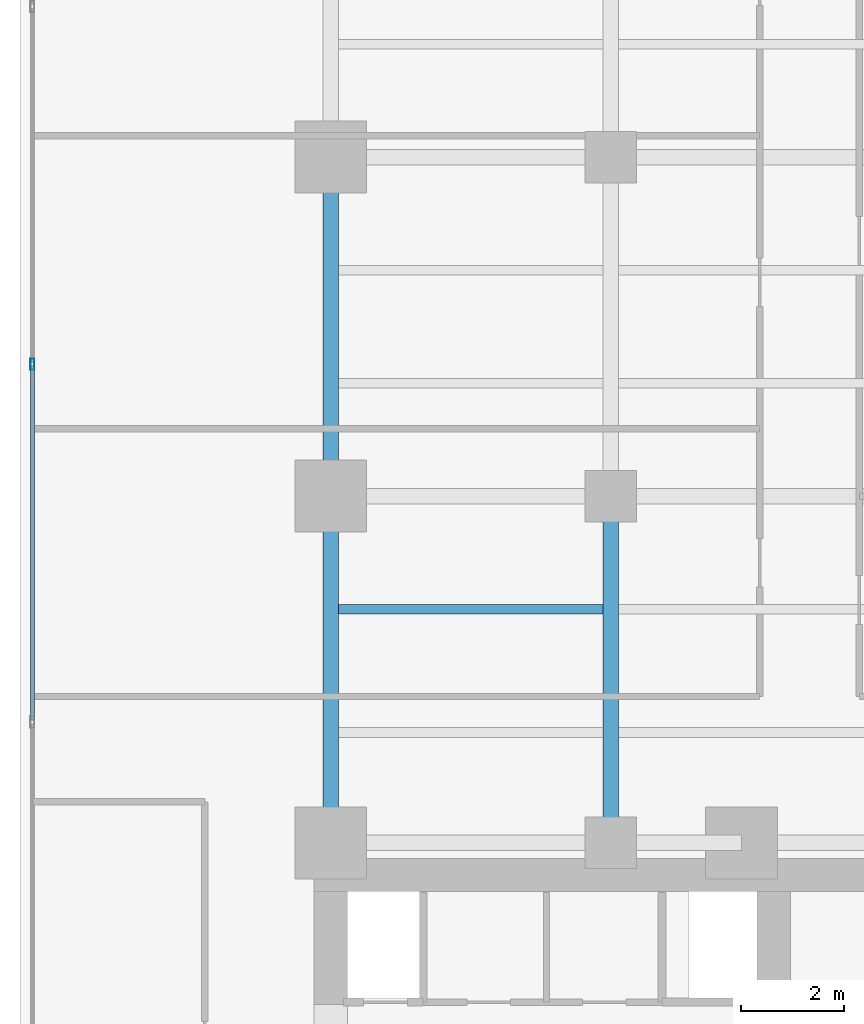
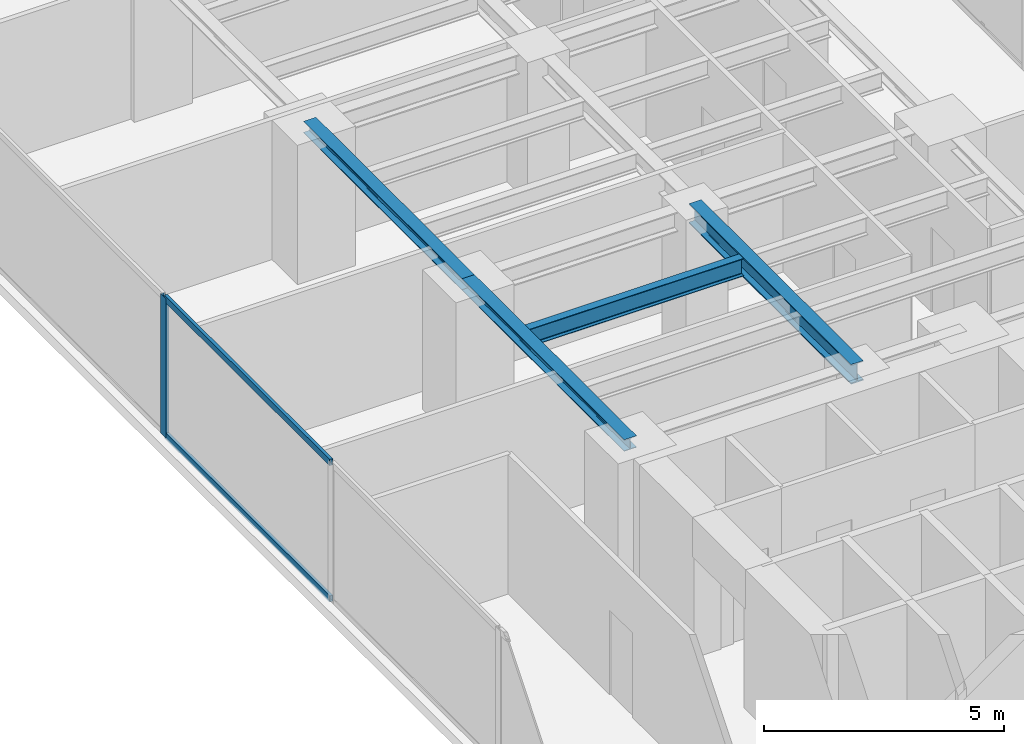
# One storey, part 8 of 26: 4 beams, 3 members, 1 element without a shape of its own.
"""IFC4 building model written with IfcOpenShell, lengths in metres."""

from ifc_helpers import new_model, si_unit, direction, frame, origin, origin_with_axes, origin_2d, place, context, subcontext, project, spatial, hollow_rectangle, i_section, extrude, source, transform, mapped, material, layer, layer_set, material_profile, profile_set, type_object, element, aggregate, save


model = new_model("IFC4")

# Units and contexts
model_context = context("Model", 3, precision=1e-05, world=origin(), true_north=direction((0.0, 1.0)))
body_context = subcontext(model_context, "Body", "Model", "MODEL_VIEW")
ifc_project = project(units=[si_unit("LENGTHUNIT", "METRE"), si_unit("AREAUNIT", "SQUARE_METRE"), si_unit("VOLUMEUNIT", "CUBIC_METRE"), si_unit("PLANEANGLEUNIT", "RADIAN"), si_unit("MASSUNIT", "GRAM", prefix="KILO")], contexts=[model_context])

# Site, building, storey
site_placement = place(None, origin())
site = spatial("IfcSite", under=ifc_project, at=site_placement, CompositionType="ELEMENT")
building_placement = place(site_placement, origin())
building = spatial("IfcBuilding", under=site, at=building_placement, Name="Kolvaren Waterfront Exchange", CompositionType="ELEMENT")
storey_placement = place(building_placement, frame((0.0, 0.0, 99.300048828125)))
storey = spatial("IfcBuildingStorey", under=building, at=storey_placement, Name="L25", CompositionType="ELEMENT", Elevation=99.300048828125)

# Beams
ifc_material_1 = material(Name="Steel S355", Category="steel")
ifc_material_profile_1 = material_profile(ifc_material_1, i_section(OverallWidth=0.300048828125, OverallDepth=0.300048828125, WebThickness=0.010986328125, FlangeThickness=0.01904296875, FilletRadius=0.027099609375, at=origin_2d()), Name="HEB300")
ifc_profile_set_1 = profile_set([ifc_material_profile_1], Name="Steel S355")
beam_type_1 = type_object("IfcBeamType", Name="STR-BM-HEB300", PredefinedType="SPANDREL", material=ifc_profile_set_1)
beam_1_placement = place(storey_placement, frame((7.449951171875, 24.449951171875, 3.389892578125), z_axis=(0.0, 1.0, 0.0), x_axis=(-1.0, 0.0, 0.0)))
element("IfcBeam", 1, at=beam_1_placement, inside=storey, type_object=beam_type_1, Name="L25 north-arm edge beam 1", PredefinedType="SPANDREL", context=body_context, shape_type="SweptSolid", body=[
    extrude(i_section(OverallWidth=0.300048828125, OverallDepth=0.300048828125, WebThickness=0.010986328125, FlangeThickness=0.01904296875, FilletRadius=0.027099609375, at=origin_2d()), origin(), (0.0, 0.0, 1.0), 6.75),
])
beam_2_placement = place(storey_placement, frame((7.449951171875, 31.199951171875, 3.389892578125), z_axis=(0.0, 1.0, 0.0), x_axis=(-1.0, 0.0, 0.0)))
element("IfcBeam", 2, at=beam_2_placement, inside=storey, type_object=beam_type_1, Name="L25 north-arm edge beam 2", PredefinedType="SPANDREL", context=body_context, shape_type="SweptSolid", body=[
    extrude(i_section(OverallWidth=0.300048828125, OverallDepth=0.300048828125, WebThickness=0.010986328125, FlangeThickness=0.01904296875, FilletRadius=0.027099609375, at=origin_2d()), origin(), (0.0, 0.0, 1.0), 6.60009765625),
])
ifc_material_profile_2 = material_profile(ifc_material_1, i_section(OverallWidth=0.300048828125, OverallDepth=0.5, WebThickness=0.014404296875, FlangeThickness=0.028076171875, FilletRadius=0.027099609375, at=origin_2d()), Name="HEB500")
ifc_profile_set_2 = profile_set([ifc_material_profile_2], Name="Steel S355")
beam_type_2 = type_object("IfcBeamType", Name="STR-BM-HEB500", PredefinedType="BEAM", material=ifc_profile_set_2)
beam_3_placement = place(storey_placement, frame((12.89990234375, 24.449951171875, 3.2900390625), z_axis=(0.0, 1.0, 0.0), x_axis=(-1.0, 0.0, 0.0)))
element("IfcBeam", 3, at=beam_3_placement, inside=storey, type_object=beam_type_2, Name="L25 north-arm edge beam 1", PredefinedType="BEAM", context=body_context, shape_type="SweptSolid", body=[
    extrude(i_section(OverallWidth=0.300048828125, OverallDepth=0.5, WebThickness=0.014404296875, FlangeThickness=0.028076171875, FilletRadius=0.027099609375, at=origin_2d()), origin(), (0.0, 0.0, 1.0), 6.75),
])
ifc_material_profile_3 = material_profile(ifc_material_1, i_section(OverallWidth=0.18994140625, OverallDepth=0.449951171875, WebThickness=0.009521484375, FlangeThickness=0.0146484375, FilletRadius=0.02099609375, at=origin_2d()), Name="IPE450")
ifc_profile_set_3 = profile_set([ifc_material_profile_3], Name="Steel S355")
beam_type_3 = type_object("IfcBeamType", Name="STR-BM-IPE450", PredefinedType="JOIST", material=ifc_profile_set_3)
beam_4_placement = place(storey_placement, frame((7.60205078125, 29.0, 3.31494140625), z_axis=(1.0, 0.0, 0.0), x_axis=(0.0, 1.0, 0.0)))
element("IfcBeam", 4, at=beam_4_placement, inside=storey, type_object=beam_type_3, Name="L25 north-arm composite joist 2A", PredefinedType="JOIST", context=body_context, shape_type="SweptSolid", body=[
    extrude(i_section(OverallWidth=0.18994140625, OverallDepth=0.449951171875, WebThickness=0.009521484375, FlangeThickness=0.0146484375, FilletRadius=0.02099609375, at=origin_2d()), origin(), (0.0, 0.0, 1.0), 5.14599609375),
])

# Curtain wall, members
ifc_material_2 = material(Name="Anodised aluminium 6063-T6", Category="aluminium")
ifc_layer = layer(ifc_material_2, 0.219970703125, Name="Anodised aluminium 6063-T6")
ifc_layer_set = layer_set([ifc_layer], Name="Anodised aluminium 6063-T6")
curtain_wall_type = type_object("IfcCurtainWallType", Name="ARC-CW-SYS2", PredefinedType="USERDEFINED", material=ifc_layer_set)
curtain_wall_placement = place(storey_placement, origin())
curtain_wall = element("IfcCurtainWall", 5, at=curtain_wall_placement, inside=storey, type_object=curtain_wall_type, Name="L25 stick curtain wall CW2 (CW-L25-W)", ObjectType="STICK CURTAIN WALL", PredefinedType="USERDEFINED")
ifc_material_profile_4 = material_profile(ifc_material_2, hollow_rectangle(XDim=0.080078125, YDim=0.219970703125, WallThickness=0.0048828125, at=origin_2d()), Name="ALU-MUL-220x80x5")
ifc_profile_set_4 = profile_set([ifc_material_profile_4], Name="Anodised aluminium 6063-T6")
member_type_1 = type_object("IfcMemberType", Name="ARC-CWM-220", PredefinedType="MULLION", material=ifc_profile_set_4)
shared_shape_1 = source(origin_with_axes(), body_context, "Body", "SweptSolid", [
    extrude(hollow_rectangle(XDim=0.080078125, YDim=0.219970703125, WallThickness=0.0048828125, at=origin_2d()), origin(), (0.0, 0.0, 1.0), 3.5400390625),
])
member_1_placement = place(storey_placement, frame((1.639892578125, 33.7666015625, 0.0), z_axis=(0.0, 0.0, 1.0), x_axis=(-1.0, 0.0, 0.0)))
member_1 = element("IfcMember", 6, at=member_1_placement, type_object=member_type_1, Name="CW2 mullion 5", PredefinedType="MULLION", context=body_context, shape_type="MappedRepresentation", body=[
    mapped(shared_shape_1, transform((0.0, 0.0, 0.0), x_axis=(1.0, 0.0, 0.0), y_axis=(0.0, 1.0, 0.0), z_axis=(0.0, 0.0, 1.0), scale=1.0)),
])
ifc_material_profile_5 = material_profile(ifc_material_2, hollow_rectangle(XDim=0.074951171875, YDim=0.159912109375, WallThickness=0.00439453125, at=origin_2d()), Name="ALU-TRN-160x75x4.5")
ifc_profile_set_5 = profile_set([ifc_material_profile_5], Name="Anodised aluminium 6063-T6")
member_type_2 = type_object("IfcMemberType", Name="ARC-CWT-160", PredefinedType="USERDEFINED", material=ifc_profile_set_5)
shared_shape_2 = source(origin_with_axes(), body_context, "Body", "SweptSolid", [
    extrude(hollow_rectangle(XDim=0.074951171875, YDim=0.159912109375, WallThickness=0.00439453125, at=origin_2d()), origin(), (0.0, 0.0, 1.0), 6.886474609375),
])
member_2_placement = place(storey_placement, frame((1.639892578125, 26.840087890625, 0.037353515625), z_axis=(0.0, 1.0, 0.0), x_axis=(-1.0, 0.0, 0.0)))
member_2 = element("IfcMember", 7, at=member_2_placement, type_object=member_type_2, Name="CW2 transom 4.1", ObjectType="TRANSOM", PredefinedType="USERDEFINED", context=body_context, shape_type="MappedRepresentation", body=[
    mapped(shared_shape_2, transform((0.0, 0.0, 0.0), x_axis=(1.0, 0.0, 0.0), y_axis=(0.0, 1.0, 0.0), z_axis=(0.0, 0.0, 1.0), scale=1.0)),
])
member_3_placement = place(storey_placement, frame((1.639892578125, 26.840087890625, 3.50244140625), z_axis=(0.0, 1.0, 0.0), x_axis=(-1.0, 0.0, 0.0)))
member_3 = element("IfcMember", 8, at=member_3_placement, type_object=member_type_2, Name="CW2 transom 4.2", ObjectType="TRANSOM", PredefinedType="USERDEFINED", context=body_context, shape_type="MappedRepresentation", body=[
    mapped(shared_shape_2, transform((0.0, 0.0, 0.0), x_axis=(1.0, 0.0, 0.0), y_axis=(0.0, 1.0, 0.0), z_axis=(0.0, 0.0, 1.0), scale=1.0)),
])
aggregate(curtain_wall, [member_1, member_2, member_3])

save(model, "model.ifc")
